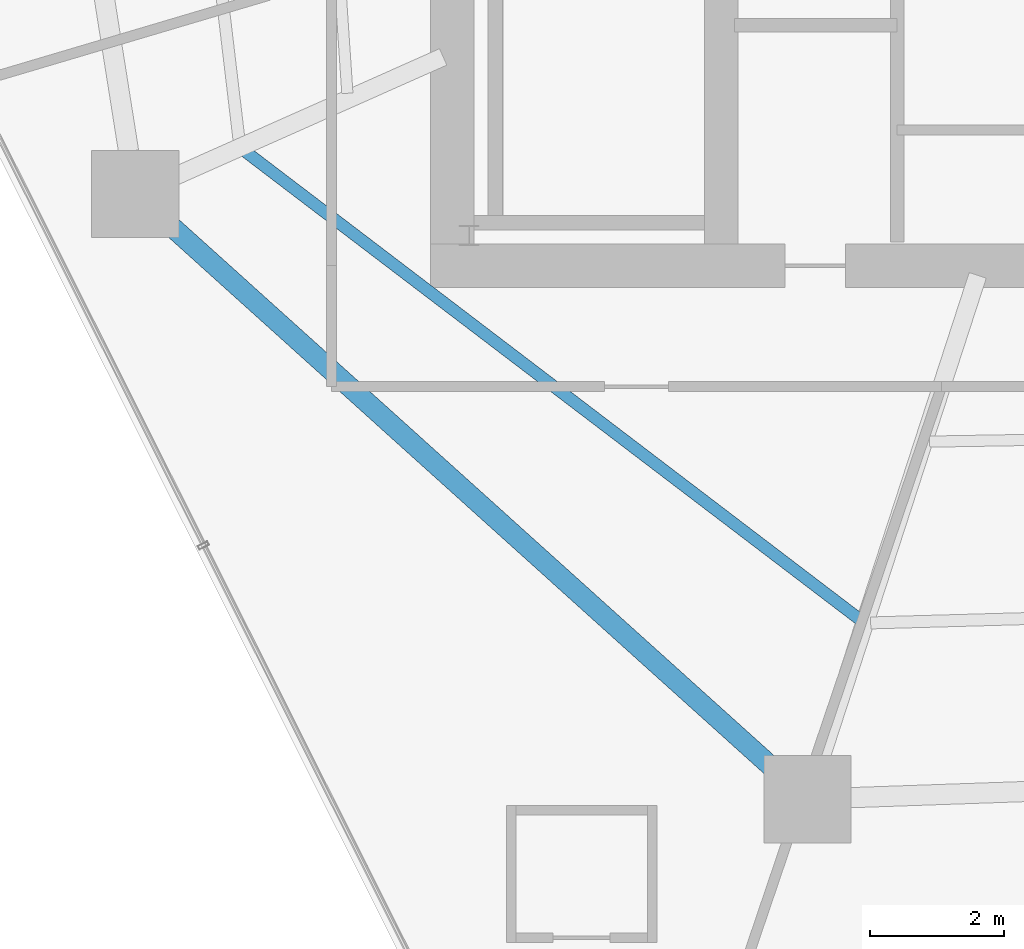
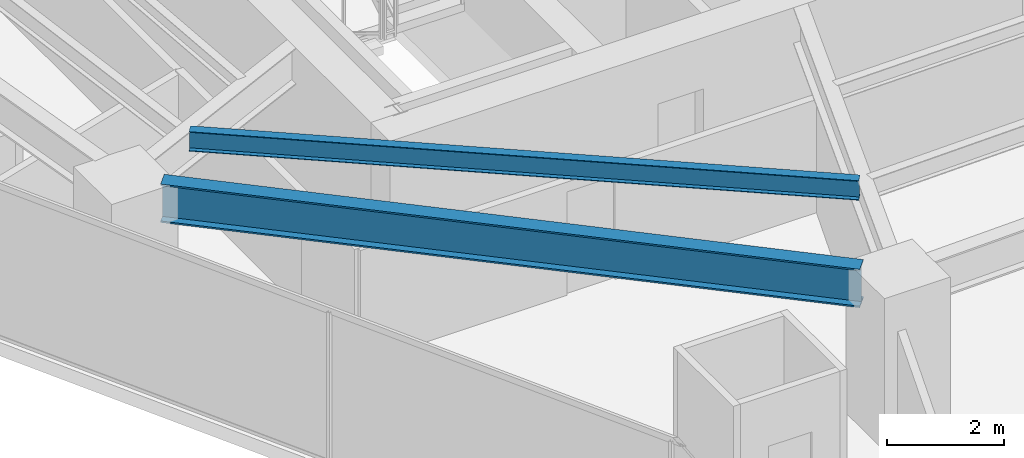
# One storey, part 4 of 28: 2 beams.
"""IFC4 building model written with IfcOpenShell, lengths in metres."""

from ifc_helpers import new_model, si_unit, direction, frame, origin, origin_2d, place, context, subcontext, project, spatial, i_section, extrude, material, material_profile, profile_set, type_object, element, save


model = new_model("IFC4")

# Units and contexts
model_context = context("Model", 3, precision=1e-05, world=origin(), true_north=direction((0.0, 1.0)))
body_context = subcontext(model_context, "Body", "Model", "MODEL_VIEW")
ifc_project = project(units=[si_unit("LENGTHUNIT", "METRE"), si_unit("AREAUNIT", "SQUARE_METRE"), si_unit("VOLUMEUNIT", "CUBIC_METRE"), si_unit("PLANEANGLEUNIT", "RADIAN"), si_unit("MASSUNIT", "GRAM", prefix="KILO")], contexts=[model_context])

# Site, building, storey
site_placement = place(None, origin())
site = spatial("IfcSite", under=ifc_project, at=site_placement, CompositionType="ELEMENT")
building_placement = place(site_placement, origin())
building = spatial("IfcBuilding", under=site, at=building_placement, Name="Qarnah Convention Tower", CompositionType="ELEMENT")
storey_placement = place(building_placement, frame((0.0, 0.0, 54.60009765625)))
storey = spatial("IfcBuildingStorey", under=building, at=storey_placement, Name="L13", CompositionType="ELEMENT", Elevation=54.60009765625)

# Beams
ifc_material = material(Name="Structural steel S355JR", Category="steel")
ifc_material_profile_1 = material_profile(ifc_material, i_section(OverallWidth=0.177978515625, OverallDepth=0.407958984375, WebThickness=0.008056640625, FlangeThickness=0.012939453125, at=origin_2d()), Name="W410X60")
ifc_profile_set_1 = profile_set([ifc_material_profile_1], Name="Structural steel S355JR")
beam_type_1 = type_object("IfcBeamType", Name="BM-JST-W410", PredefinedType="JOIST", material=ifc_profile_set_1)
beam_1_placement = place(storey_placement, frame((23.7099609375, 20.306884765625, 2.9658203125), z_axis=(0.795571473593, -0.60585974483, 0.0), x_axis=(0.60585974483, 0.795571473593, 0.0)))
element("IfcBeam", 1, at=beam_1_placement, inside=storey, type_object=beam_type_1, Name="L13 joist BM-L13-SJST-06", PredefinedType="JOIST", context=body_context, shape_type="SweptSolid", body=[
    extrude(i_section(OverallWidth=0.177978515625, OverallDepth=0.407958984375, WebThickness=0.008056640625, FlangeThickness=0.012939453125, at=origin_2d()), origin(), (0.0, 0.0, 1.0), 11.507568359375),
])
ifc_material_profile_2 = material_profile(ifc_material, i_section(OverallWidth=0.300048828125, OverallDepth=0.800048828125, WebThickness=0.01806640625, FlangeThickness=0.032958984375, at=origin_2d()), Name="HEB800")
ifc_profile_set_2 = profile_set([ifc_material_profile_2], Name="Structural steel S355JR")
beam_type_2 = type_object("IfcBeamType", Name="BM-RING-HEB800", PredefinedType="BEAM", material=ifc_profile_set_2)
beam_2_placement = place(storey_placement, frame((22.556884765625, 19.240966796875, 2.77001953125), z_axis=(0.743082870291, -0.669199408159, 0.0), x_axis=(0.669199408159, 0.743082870291, 0.0)))
element("IfcBeam", 2, at=beam_2_placement, inside=storey, type_object=beam_type_2, Name="L13 beam BM-L13-SPN-06", PredefinedType="BEAM", context=body_context, shape_type="SweptSolid", body=[
    extrude(i_section(OverallWidth=0.300048828125, OverallDepth=0.800048828125, WebThickness=0.01806640625, FlangeThickness=0.032958984375, at=origin_2d()), origin(), (0.0, 0.0, 1.0), 12.183349609375),
])

save(model, "model.ifc")
